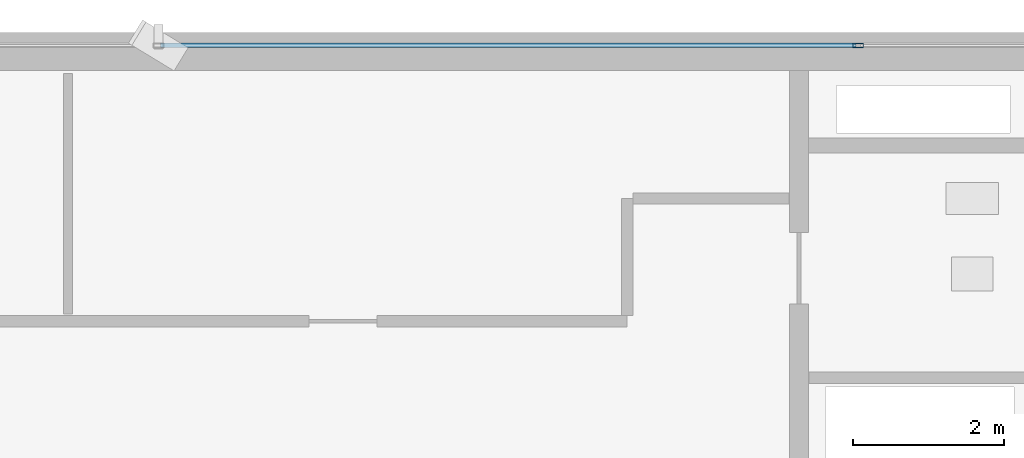
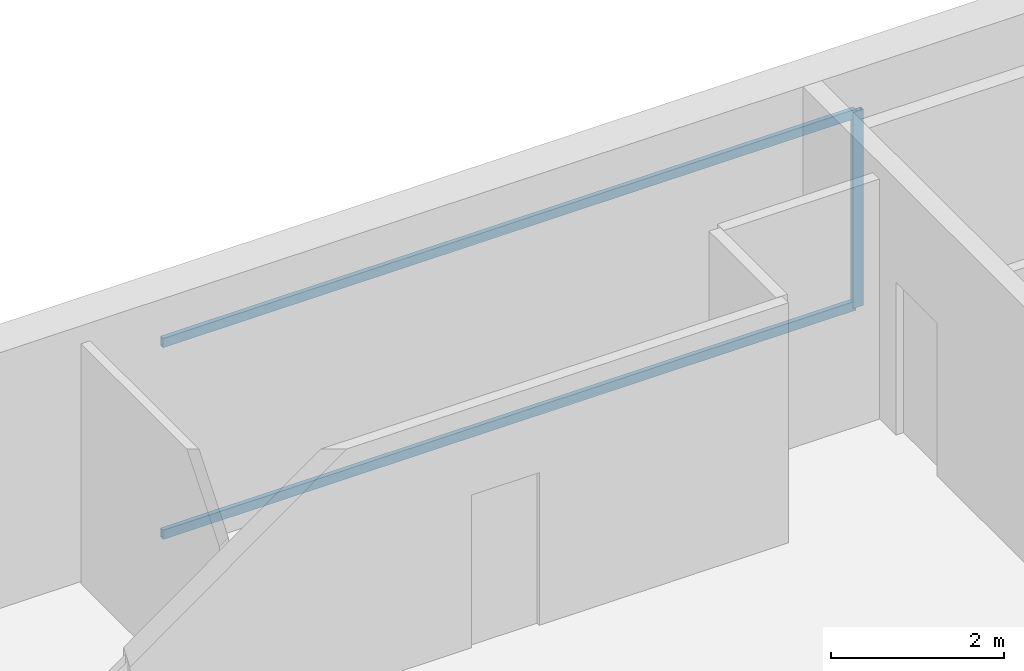
# One storey, part 21 of 29: 3 members, 1 element without a shape of its own.
"""IFC4 building model written with IfcOpenShell, lengths in metres."""

from ifc_helpers import new_model, si_unit, direction, frame, origin, origin_2d, place, context, subcontext, project, spatial, hollow_rectangle, extrude, source, transform, mapped, material, layer, layer_set, material_profile, profile_set, type_object, element, aggregate, save


model = new_model("IFC4")

# Units and contexts
model_context = context("Model", 3, precision=1e-05, world=origin(), true_north=direction((0.0, 1.0)))
body_context = subcontext(model_context, "Body", "Model", "MODEL_VIEW")
ifc_project = project(units=[si_unit("LENGTHUNIT", "METRE"), si_unit("AREAUNIT", "SQUARE_METRE"), si_unit("VOLUMEUNIT", "CUBIC_METRE"), si_unit("PLANEANGLEUNIT", "RADIAN"), si_unit("MASSUNIT", "GRAM", prefix="KILO")], contexts=[model_context])

# Site, building, storey
site_placement = place(None, origin())
site = spatial("IfcSite", under=ifc_project, at=site_placement, CompositionType="ELEMENT")
building_placement = place(site_placement, origin())
building = spatial("IfcBuilding", under=site, at=building_placement, Name="Sumidabori Civic Tower", CompositionType="ELEMENT")
storey_placement = place(building_placement, frame((0.0, 0.0, 203.60009765625)))
storey = spatial("IfcBuildingStorey", under=building, at=storey_placement, Name="L52", CompositionType="ELEMENT", Elevation=203.60009765625)

# Curtain wall, members
ifc_material = material(Name="Anodised Bronze Aluminium AW-6063-T6", Category="aluminium")
ifc_layer = layer(ifc_material, 0.179931640625, Name="Anodised Bronze Aluminium AW-6063-T6")
ifc_layer_set = layer_set([ifc_layer], Name="Anodised Bronze Aluminium AW-6063-T6")
curtain_wall_type = type_object("IfcCurtainWallType", Name="CW-SYS-5", PredefinedType="NOTDEFINED", material=ifc_layer_set)
curtain_wall_placement = place(storey_placement, origin())
curtain_wall = element("IfcCurtainWall", 1, at=curtain_wall_placement, inside=storey, type_object=curtain_wall_type, Name="Curtain Wall CW:L52:R13", PredefinedType="NOTDEFINED")
ifc_material_profile_1 = material_profile(ifc_material, hollow_rectangle(XDim=0.06005859375, YDim=0.139892578125, WallThickness=0.0048828125, at=origin_2d()), Name="ALU MULLION 140x60")
ifc_profile_set_1 = profile_set([ifc_material_profile_1], Name="Anodised Bronze Aluminium AW-6063-T6")
member_type_1 = type_object("IfcMemberType", Name="CW-MUL-140", PredefinedType="MULLION", material=ifc_profile_set_1)
shared_shape_1 = source(origin(), body_context, "Body", "SweptSolid", [
    extrude(hollow_rectangle(XDim=0.06005859375, YDim=0.139892578125, WallThickness=0.0048828125, at=origin_2d()), origin(), (0.0, 0.0, 1.0), 2.760009765625),
])
member_1_placement = place(storey_placement, frame((9.284912109375, 23.8798828125, 0.0), z_axis=(0.0, 0.0, 1.0), x_axis=(0.0, -1.0, 0.0)))
member_1 = element("IfcMember", 2, at=member_1_placement, type_object=member_type_1, Name="CW-5 mullion 2", PredefinedType="MULLION", context=body_context, shape_type="MappedRepresentation", body=[
    mapped(shared_shape_1, transform((0.0, 0.0, 0.0), x_axis=(1.0, 0.0, 0.0), y_axis=(0.0, 1.0, 0.0), z_axis=(0.0, 0.0, 1.0), scale=1.0)),
])
ifc_material_profile_2 = material_profile(ifc_material, hollow_rectangle(XDim=0.06005859375, YDim=0.1298828125, WallThickness=0.0048828125, at=origin_2d()), Name="ALU TRANSOM 130x60")
ifc_profile_set_2 = profile_set([ifc_material_profile_2], Name="Anodised Bronze Aluminium AW-6063-T6")
member_type_2 = type_object("IfcMemberType", Name="CW-TRN-130", PredefinedType="USERDEFINED", material=ifc_profile_set_2)
shared_shape_2 = source(origin(), body_context, "Body", "SweptSolid", [
    extrude(hollow_rectangle(XDim=0.06005859375, YDim=0.1298828125, WallThickness=0.0048828125, at=origin_2d()), origin(), (0.0, 0.0, 1.0), 9.224853515625),
])
member_2_placement = place(storey_placement, frame((9.2548828125, 23.8798828125, 0.02978515625), z_axis=(-1.0, 0.0, 0.0), x_axis=(0.0, -1.0, 0.0)))
member_2 = element("IfcMember", 3, at=member_2_placement, type_object=member_type_2, Name="CW-5 transom 2.1", ObjectType="TRANSOM", PredefinedType="USERDEFINED", context=body_context, shape_type="MappedRepresentation", body=[
    mapped(shared_shape_2, transform((0.0, 0.0, 0.0), x_axis=(1.0, 0.0, 0.0), y_axis=(0.0, 1.0, 0.0), z_axis=(0.0, 0.0, 1.0), scale=1.0)),
])
member_3_placement = place(storey_placement, frame((9.2548828125, 23.8798828125, 2.72998046875), z_axis=(-1.0, 0.0, 0.0), x_axis=(0.0, -1.0, 0.0)))
member_3 = element("IfcMember", 4, at=member_3_placement, type_object=member_type_2, Name="CW-5 transom 2.2", ObjectType="TRANSOM", PredefinedType="USERDEFINED", context=body_context, shape_type="MappedRepresentation", body=[
    mapped(shared_shape_2, transform((0.0, 0.0, 0.0), x_axis=(1.0, 0.0, 0.0), y_axis=(0.0, 1.0, 0.0), z_axis=(0.0, 0.0, 1.0), scale=1.0)),
])
aggregate(curtain_wall, [member_1, member_2, member_3])

save(model, "model.ifc")
